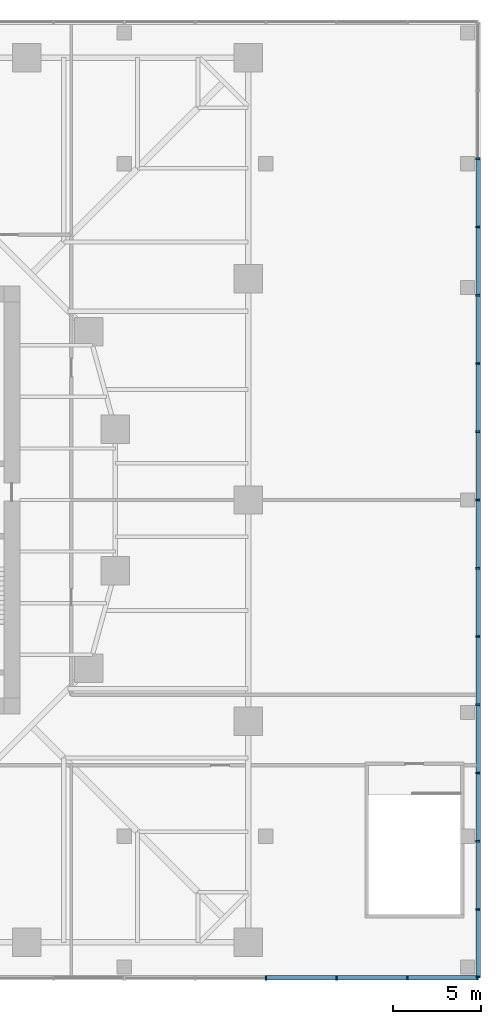
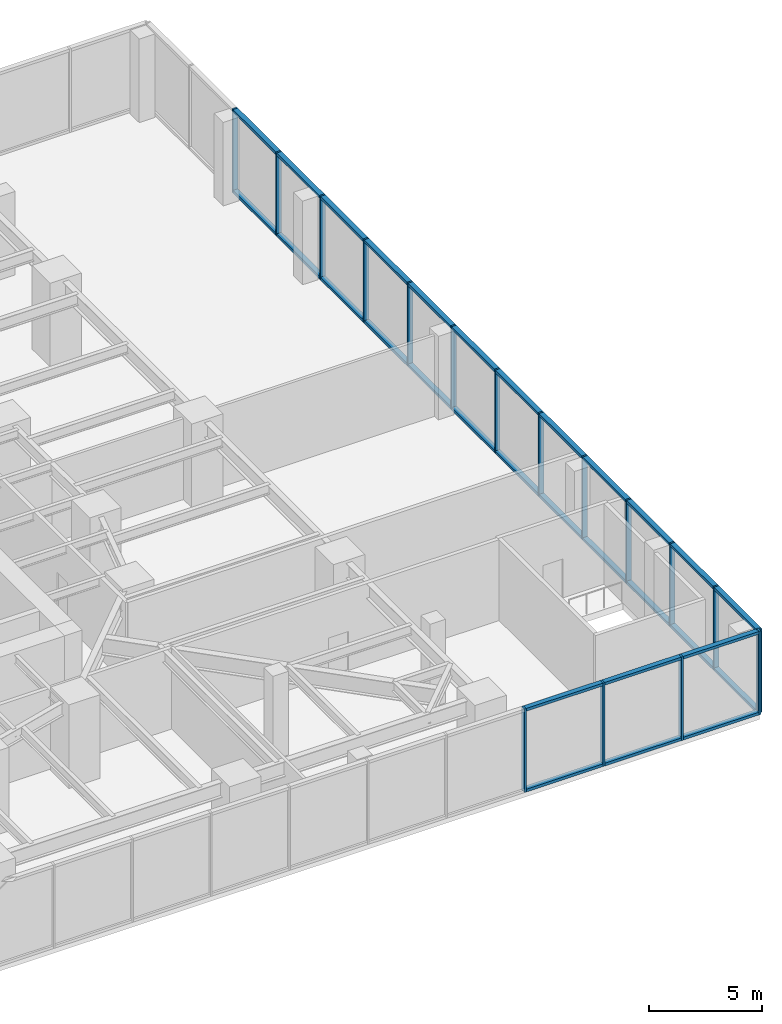
# One storey, part 7 of 14: 47 members, 2 elements without a shape of their own.
"""IFC4 building model written with IfcOpenShell, lengths in metres."""

from ifc_helpers import new_model, si_unit, direction, frame, origin, origin_2d, place, context, subcontext, project, spatial, rectangle, extrude, material, material_profile, profile_set, type_object, element, aggregate, save


model = new_model("IFC4")

# Units and contexts
model_context = context("Model", 3, precision=1e-05, world=origin(), true_north=direction((0.0, 1.0)))
body_context = subcontext(model_context, "Body", "Model", "MODEL_VIEW")
ifc_project = project(units=[si_unit("LENGTHUNIT", "METRE"), si_unit("AREAUNIT", "SQUARE_METRE"), si_unit("VOLUMEUNIT", "CUBIC_METRE"), si_unit("PLANEANGLEUNIT", "RADIAN"), si_unit("MASSUNIT", "GRAM", prefix="KILO")], contexts=[model_context])

# Site, building, storey
site_placement = place(None, origin())
site = spatial("IfcSite", under=ifc_project, at=site_placement, CompositionType="ELEMENT")
building_placement = place(site_placement, origin())
building = spatial("IfcBuilding", under=site, at=building_placement, Name="Torsade Residences", CompositionType="ELEMENT")
storey_placement = place(building_placement, frame((0.0, 0.0, 10.5)))
storey = spatial("IfcBuildingStorey", under=building, at=storey_placement, Name="L02", CompositionType="ELEMENT", Elevation=10.5)

# Curtain wall, members
ifc_material_1 = material(Name="Aluminium and glass", Category="aluminium")
curtain_wall_type = type_object("IfcCurtainWallType", Name="PODIUM CURTAIN WALL", PredefinedType="NOTDEFINED", material=ifc_material_1)
curtain_wall_1_placement = place(storey_placement, origin())
curtain_wall_1 = element("IfcCurtainWall", 1, at=curtain_wall_1_placement, inside=storey, type_object=curtain_wall_type, Name="Podium curtain wall L02 S", PredefinedType="NOTDEFINED")
ifc_material_2 = material(Name="Aluminium mullion", Category="aluminium")
ifc_material_profile_1 = material_profile(ifc_material_2, rectangle(XDim=0.25, YDim=0.090087890625, at=origin_2d()), Name="PODIUM CURTAIN WALL MULLION 250x90")
ifc_profile_set_1 = profile_set([ifc_material_profile_1], Name="Aluminium mullion")
member_type_1 = type_object("IfcMemberType", Name="PODIUM CURTAIN WALL MULLION 250x90", PredefinedType="MULLION", material=ifc_profile_set_1)
member_1_placement = place(storey_placement, frame((66.0, 3.0, 0.0), z_axis=(0.0, 0.0, 1.0), x_axis=(0.0, 1.0, 0.0)))
member_1 = element("IfcMember", 2, at=member_1_placement, type_object=member_type_1, Name="Mullion 17", PredefinedType="MULLION", context=body_context, shape_type="SweptSolid", body=[
    extrude(rectangle(XDim=0.25, YDim=0.090087890625, at=origin_2d()), origin(), (0.0, 0.0, 1.0), 4.5),
])
member_2_placement = place(storey_placement, frame((70.0, 3.0, 0.0), z_axis=(0.0, 0.0, 1.0), x_axis=(0.0, 1.0, 0.0)))
member_2 = element("IfcMember", 3, at=member_2_placement, type_object=member_type_1, Name="Mullion 18", PredefinedType="MULLION", context=body_context, shape_type="SweptSolid", body=[
    extrude(rectangle(XDim=0.25, YDim=0.090087890625, at=origin_2d()), origin(), (0.0, 0.0, 1.0), 4.5),
])
member_3_placement = place(storey_placement, frame((74.0, 3.0, 0.0), z_axis=(0.0, 0.0, 1.0), x_axis=(0.0, 1.0, 0.0)))
member_3 = element("IfcMember", 4, at=member_3_placement, type_object=member_type_1, Name="Mullion 19", PredefinedType="MULLION", context=body_context, shape_type="SweptSolid", body=[
    extrude(rectangle(XDim=0.25, YDim=0.090087890625, at=origin_2d()), origin(), (0.0, 0.0, 1.0), 4.5),
])
member_4_placement = place(storey_placement, frame((77.955078125, 3.0, 0.0), z_axis=(0.0, 0.0, 1.0), x_axis=(0.0, 1.0, 0.0)))
member_4 = element("IfcMember", 5, at=member_4_placement, type_object=member_type_1, Name="Mullion 20", PredefinedType="MULLION", context=body_context, shape_type="SweptSolid", body=[
    extrude(rectangle(XDim=0.25, YDim=0.090087890625, at=origin_2d()), origin(), (0.0, 0.0, 1.0), 4.5),
])

curtain_wall_2_placement = place(storey_placement, origin())
curtain_wall_2 = element("IfcCurtainWall", 6, at=curtain_wall_2_placement, inside=storey, type_object=curtain_wall_type, Name="Podium curtain wall L02 E", PredefinedType="NOTDEFINED")
member_5_placement = place(storey_placement, frame((78.0, 3.044921875, 0.0), z_axis=(0.0, 0.0, 1.0), x_axis=(-1.0, 0.0, 0.0)))
member_5 = element("IfcMember", 7, at=member_5_placement, type_object=member_type_1, Name="Mullion 1", PredefinedType="MULLION", context=body_context, shape_type="SweptSolid", body=[
    extrude(rectangle(XDim=0.25, YDim=0.090087890625, at=origin_2d()), origin(), (0.0, 0.0, 1.0), 4.5),
])
member_6_placement = place(storey_placement, frame((78.0, 6.857177734375, 0.0), z_axis=(0.0, 0.0, 1.0), x_axis=(-1.0, 0.0, 0.0)))
member_6 = element("IfcMember", 8, at=member_6_placement, type_object=member_type_1, Name="Mullion 2", PredefinedType="MULLION", context=body_context, shape_type="SweptSolid", body=[
    extrude(rectangle(XDim=0.25, YDim=0.090087890625, at=origin_2d()), origin(), (0.0, 0.0, 1.0), 4.5),
])
member_7_placement = place(storey_placement, frame((78.0, 10.71435546875, 0.0), z_axis=(0.0, 0.0, 1.0), x_axis=(-1.0, 0.0, 0.0)))
member_7 = element("IfcMember", 9, at=member_7_placement, type_object=member_type_1, Name="Mullion 3", PredefinedType="MULLION", context=body_context, shape_type="SweptSolid", body=[
    extrude(rectangle(XDim=0.25, YDim=0.090087890625, at=origin_2d()), origin(), (0.0, 0.0, 1.0), 4.5),
])
member_8_placement = place(storey_placement, frame((78.0, 14.571533203125, 0.0), z_axis=(0.0, 0.0, 1.0), x_axis=(-1.0, 0.0, 0.0)))
member_8 = element("IfcMember", 10, at=member_8_placement, type_object=member_type_1, Name="Mullion 4", PredefinedType="MULLION", context=body_context, shape_type="SweptSolid", body=[
    extrude(rectangle(XDim=0.25, YDim=0.090087890625, at=origin_2d()), origin(), (0.0, 0.0, 1.0), 4.5),
])
member_9_placement = place(storey_placement, frame((78.0, 18.428466796875, 0.0), z_axis=(0.0, 0.0, 1.0), x_axis=(-1.0, 0.0, 0.0)))
member_9 = element("IfcMember", 11, at=member_9_placement, type_object=member_type_1, Name="Mullion 5", PredefinedType="MULLION", context=body_context, shape_type="SweptSolid", body=[
    extrude(rectangle(XDim=0.25, YDim=0.090087890625, at=origin_2d()), origin(), (0.0, 0.0, 1.0), 4.5),
])
member_10_placement = place(storey_placement, frame((78.0, 22.28564453125, 0.0), z_axis=(0.0, 0.0, 1.0), x_axis=(-1.0, 0.0, 0.0)))
member_10 = element("IfcMember", 12, at=member_10_placement, type_object=member_type_1, Name="Mullion 6", PredefinedType="MULLION", context=body_context, shape_type="SweptSolid", body=[
    extrude(rectangle(XDim=0.25, YDim=0.090087890625, at=origin_2d()), origin(), (0.0, 0.0, 1.0), 4.5),
])
member_11_placement = place(storey_placement, frame((78.0, 26.142822265625, 0.0), z_axis=(0.0, 0.0, 1.0), x_axis=(-1.0, 0.0, 0.0)))
member_11 = element("IfcMember", 13, at=member_11_placement, type_object=member_type_1, Name="Mullion 7", PredefinedType="MULLION", context=body_context, shape_type="SweptSolid", body=[
    extrude(rectangle(XDim=0.25, YDim=0.090087890625, at=origin_2d()), origin(), (0.0, 0.0, 1.0), 4.5),
])
member_12_placement = place(storey_placement, frame((78.0, 30.0, 0.0), z_axis=(0.0, 0.0, 1.0), x_axis=(-1.0, 0.0, 0.0)))
member_12 = element("IfcMember", 14, at=member_12_placement, type_object=member_type_1, Name="Mullion 8", PredefinedType="MULLION", context=body_context, shape_type="SweptSolid", body=[
    extrude(rectangle(XDim=0.25, YDim=0.090087890625, at=origin_2d()), origin(), (0.0, 0.0, 1.0), 4.5),
])
member_13_placement = place(storey_placement, frame((78.0, 33.857177734375, 0.0), z_axis=(0.0, 0.0, 1.0), x_axis=(-1.0, 0.0, 0.0)))
member_13 = element("IfcMember", 15, at=member_13_placement, type_object=member_type_1, Name="Mullion 9", PredefinedType="MULLION", context=body_context, shape_type="SweptSolid", body=[
    extrude(rectangle(XDim=0.25, YDim=0.090087890625, at=origin_2d()), origin(), (0.0, 0.0, 1.0), 4.5),
])
member_14_placement = place(storey_placement, frame((78.0, 37.71435546875, 0.0), z_axis=(0.0, 0.0, 1.0), x_axis=(-1.0, 0.0, 0.0)))
member_14 = element("IfcMember", 16, at=member_14_placement, type_object=member_type_1, Name="Mullion 10", PredefinedType="MULLION", context=body_context, shape_type="SweptSolid", body=[
    extrude(rectangle(XDim=0.25, YDim=0.090087890625, at=origin_2d()), origin(), (0.0, 0.0, 1.0), 4.5),
])
member_15_placement = place(storey_placement, frame((78.0, 41.571533203125, 0.0), z_axis=(0.0, 0.0, 1.0), x_axis=(-1.0, 0.0, 0.0)))
member_15 = element("IfcMember", 17, at=member_15_placement, type_object=member_type_1, Name="Mullion 11", PredefinedType="MULLION", context=body_context, shape_type="SweptSolid", body=[
    extrude(rectangle(XDim=0.25, YDim=0.090087890625, at=origin_2d()), origin(), (0.0, 0.0, 1.0), 4.5),
])
member_16_placement = place(storey_placement, frame((78.0, 45.428466796875, 0.0), z_axis=(0.0, 0.0, 1.0), x_axis=(-1.0, 0.0, 0.0)))
member_16 = element("IfcMember", 18, at=member_16_placement, type_object=member_type_1, Name="Mullion 12", PredefinedType="MULLION", context=body_context, shape_type="SweptSolid", body=[
    extrude(rectangle(XDim=0.25, YDim=0.090087890625, at=origin_2d()), origin(), (0.0, 0.0, 1.0), 4.5),
])
member_17_placement = place(storey_placement, frame((78.0, 49.28564453125, 0.0), z_axis=(0.0, 0.0, 1.0), x_axis=(-1.0, 0.0, 0.0)))
member_17 = element("IfcMember", 19, at=member_17_placement, type_object=member_type_1, Name="Mullion 13", PredefinedType="MULLION", context=body_context, shape_type="SweptSolid", body=[
    extrude(rectangle(XDim=0.25, YDim=0.090087890625, at=origin_2d()), origin(), (0.0, 0.0, 1.0), 4.5),
])

# Member
ifc_material_3 = material(Name="Aluminium transom", Category="aluminium")
ifc_material_profile_2 = material_profile(ifc_material_3, rectangle(XDim=0.25, YDim=0.14990234375, at=origin_2d()), Name="PODIUM CURTAIN WALL TRANSOM 250x150")
ifc_profile_set_2 = profile_set([ifc_material_profile_2], Name="Aluminium transom")
member_type_2 = type_object("IfcMemberType", Name="PODIUM CURTAIN WALL TRANSOM 250x150", PredefinedType="USERDEFINED", material=ifc_profile_set_2)
member_18_placement = place(storey_placement, frame((66.044921875, 3.0, 0.074951171875), z_axis=(1.0, 0.0, 0.0), x_axis=(0.0, 1.0, 0.0)))
member_18 = element("IfcMember", 20, at=member_18_placement, type_object=member_type_2, Name="Transom 17.1", ObjectType="TRANSOM", PredefinedType="USERDEFINED", context=body_context, shape_type="SweptSolid", body=[
    extrude(rectangle(XDim=0.25, YDim=0.14990234375, at=origin_2d()), origin(), (0.0, 0.0, 1.0), 3.91015625),
])

member_19_placement = place(storey_placement, frame((66.044921875, 3.0, 4.425048828125), z_axis=(1.0, 0.0, 0.0), x_axis=(0.0, 1.0, 0.0)))
member_19 = element("IfcMember", 21, at=member_19_placement, type_object=member_type_2, Name="Transom 17.2", ObjectType="TRANSOM", PredefinedType="USERDEFINED", context=body_context, shape_type="SweptSolid", body=[
    extrude(rectangle(XDim=0.25, YDim=0.14990234375, at=origin_2d()), origin(), (0.0, 0.0, 1.0), 3.91015625),
])

member_20_placement = place(storey_placement, frame((70.044921875, 3.0, 0.074951171875), z_axis=(1.0, 0.0, 0.0), x_axis=(0.0, 1.0, 0.0)))
member_20 = element("IfcMember", 22, at=member_20_placement, type_object=member_type_2, Name="Transom 18.1", ObjectType="TRANSOM", PredefinedType="USERDEFINED", context=body_context, shape_type="SweptSolid", body=[
    extrude(rectangle(XDim=0.25, YDim=0.14990234375, at=origin_2d()), origin(), (0.0, 0.0, 1.0), 3.91015625),
])

member_21_placement = place(storey_placement, frame((70.044921875, 3.0, 4.425048828125), z_axis=(1.0, 0.0, 0.0), x_axis=(0.0, 1.0, 0.0)))
member_21 = element("IfcMember", 23, at=member_21_placement, type_object=member_type_2, Name="Transom 18.2", ObjectType="TRANSOM", PredefinedType="USERDEFINED", context=body_context, shape_type="SweptSolid", body=[
    extrude(rectangle(XDim=0.25, YDim=0.14990234375, at=origin_2d()), origin(), (0.0, 0.0, 1.0), 3.91015625),
])

member_22_placement = place(storey_placement, frame((74.044921875, 3.0, 0.074951171875), z_axis=(1.0, 0.0, 0.0), x_axis=(0.0, 1.0, 0.0)))
member_22 = element("IfcMember", 24, at=member_22_placement, type_object=member_type_2, Name="Transom 19.1", ObjectType="TRANSOM", PredefinedType="USERDEFINED", context=body_context, shape_type="SweptSolid", body=[
    extrude(rectangle(XDim=0.25, YDim=0.14990234375, at=origin_2d()), origin(), (0.0, 0.0, 1.0), 3.864990234375),
])

member_23_placement = place(storey_placement, frame((74.044921875, 3.0, 4.425048828125), z_axis=(1.0, 0.0, 0.0), x_axis=(0.0, 1.0, 0.0)))
member_23 = element("IfcMember", 25, at=member_23_placement, type_object=member_type_2, Name="Transom 19.2", ObjectType="TRANSOM", PredefinedType="USERDEFINED", context=body_context, shape_type="SweptSolid", body=[
    extrude(rectangle(XDim=0.25, YDim=0.14990234375, at=origin_2d()), origin(), (0.0, 0.0, 1.0), 3.864990234375),
])

aggregate(curtain_wall_1, [member_1, member_2, member_3, member_4, member_18, member_19, member_20, member_21, member_22, member_23])

member_24_placement = place(storey_placement, frame((78.0, 3.090087890625, 0.074951171875), z_axis=(0.0, 1.0, 0.0), x_axis=(-1.0, 0.0, 0.0)))
member_24 = element("IfcMember", 26, at=member_24_placement, type_object=member_type_2, Name="Transom 1.1", ObjectType="TRANSOM", PredefinedType="USERDEFINED", context=body_context, shape_type="SweptSolid", body=[
    extrude(rectangle(XDim=0.25, YDim=0.14990234375, at=origin_2d()), origin(), (0.0, 0.0, 1.0), 3.72216796875),
])

member_25_placement = place(storey_placement, frame((78.0, 3.090087890625, 4.425048828125), z_axis=(0.0, 1.0, 0.0), x_axis=(-1.0, 0.0, 0.0)))
member_25 = element("IfcMember", 27, at=member_25_placement, type_object=member_type_2, Name="Transom 1.2", ObjectType="TRANSOM", PredefinedType="USERDEFINED", context=body_context, shape_type="SweptSolid", body=[
    extrude(rectangle(XDim=0.25, YDim=0.14990234375, at=origin_2d()), origin(), (0.0, 0.0, 1.0), 3.72216796875),
])

member_26_placement = place(storey_placement, frame((78.0, 6.902099609375, 0.074951171875), z_axis=(0.0, 1.0, 0.0), x_axis=(-1.0, 0.0, 0.0)))
member_26 = element("IfcMember", 28, at=member_26_placement, type_object=member_type_2, Name="Transom 2.1", ObjectType="TRANSOM", PredefinedType="USERDEFINED", context=body_context, shape_type="SweptSolid", body=[
    extrude(rectangle(XDim=0.25, YDim=0.14990234375, at=origin_2d()), origin(), (0.0, 0.0, 1.0), 3.76708984375),
])

member_27_placement = place(storey_placement, frame((78.0, 6.902099609375, 4.425048828125), z_axis=(0.0, 1.0, 0.0), x_axis=(-1.0, 0.0, 0.0)))
member_27 = element("IfcMember", 29, at=member_27_placement, type_object=member_type_2, Name="Transom 2.2", ObjectType="TRANSOM", PredefinedType="USERDEFINED", context=body_context, shape_type="SweptSolid", body=[
    extrude(rectangle(XDim=0.25, YDim=0.14990234375, at=origin_2d()), origin(), (0.0, 0.0, 1.0), 3.76708984375),
])

member_28_placement = place(storey_placement, frame((78.0, 10.75927734375, 0.074951171875), z_axis=(0.0, 1.0, 0.0), x_axis=(-1.0, 0.0, 0.0)))
member_28 = element("IfcMember", 30, at=member_28_placement, type_object=member_type_2, Name="Transom 3.1", ObjectType="TRANSOM", PredefinedType="USERDEFINED", context=body_context, shape_type="SweptSolid", body=[
    extrude(rectangle(XDim=0.25, YDim=0.14990234375, at=origin_2d()), origin(), (0.0, 0.0, 1.0), 3.76708984375),
])

member_29_placement = place(storey_placement, frame((78.0, 10.75927734375, 4.425048828125), z_axis=(0.0, 1.0, 0.0), x_axis=(-1.0, 0.0, 0.0)))
member_29 = element("IfcMember", 31, at=member_29_placement, type_object=member_type_2, Name="Transom 3.2", ObjectType="TRANSOM", PredefinedType="USERDEFINED", context=body_context, shape_type="SweptSolid", body=[
    extrude(rectangle(XDim=0.25, YDim=0.14990234375, at=origin_2d()), origin(), (0.0, 0.0, 1.0), 3.76708984375),
])

member_30_placement = place(storey_placement, frame((78.0, 14.616455078125, 0.074951171875), z_axis=(0.0, 1.0, 0.0), x_axis=(-1.0, 0.0, 0.0)))
member_30 = element("IfcMember", 32, at=member_30_placement, type_object=member_type_2, Name="Transom 4.1", ObjectType="TRANSOM", PredefinedType="USERDEFINED", context=body_context, shape_type="SweptSolid", body=[
    extrude(rectangle(XDim=0.25, YDim=0.14990234375, at=origin_2d()), origin(), (0.0, 0.0, 1.0), 3.76708984375),
])

member_31_placement = place(storey_placement, frame((78.0, 14.616455078125, 4.425048828125), z_axis=(0.0, 1.0, 0.0), x_axis=(-1.0, 0.0, 0.0)))
member_31 = element("IfcMember", 33, at=member_31_placement, type_object=member_type_2, Name="Transom 4.2", ObjectType="TRANSOM", PredefinedType="USERDEFINED", context=body_context, shape_type="SweptSolid", body=[
    extrude(rectangle(XDim=0.25, YDim=0.14990234375, at=origin_2d()), origin(), (0.0, 0.0, 1.0), 3.76708984375),
])

member_32_placement = place(storey_placement, frame((78.0, 18.4736328125, 0.074951171875), z_axis=(0.0, 1.0, 0.0), x_axis=(-1.0, 0.0, 0.0)))
member_32 = element("IfcMember", 34, at=member_32_placement, type_object=member_type_2, Name="Transom 5.1", ObjectType="TRANSOM", PredefinedType="USERDEFINED", context=body_context, shape_type="SweptSolid", body=[
    extrude(rectangle(XDim=0.25, YDim=0.14990234375, at=origin_2d()), origin(), (0.0, 0.0, 1.0), 3.76708984375),
])

member_33_placement = place(storey_placement, frame((78.0, 18.4736328125, 4.425048828125), z_axis=(0.0, 1.0, 0.0), x_axis=(-1.0, 0.0, 0.0)))
member_33 = element("IfcMember", 35, at=member_33_placement, type_object=member_type_2, Name="Transom 5.2", ObjectType="TRANSOM", PredefinedType="USERDEFINED", context=body_context, shape_type="SweptSolid", body=[
    extrude(rectangle(XDim=0.25, YDim=0.14990234375, at=origin_2d()), origin(), (0.0, 0.0, 1.0), 3.76708984375),
])

member_34_placement = place(storey_placement, frame((78.0, 22.330810546875, 0.074951171875), z_axis=(0.0, 1.0, 0.0), x_axis=(-1.0, 0.0, 0.0)))
member_34 = element("IfcMember", 36, at=member_34_placement, type_object=member_type_2, Name="Transom 6.1", ObjectType="TRANSOM", PredefinedType="USERDEFINED", context=body_context, shape_type="SweptSolid", body=[
    extrude(rectangle(XDim=0.25, YDim=0.14990234375, at=origin_2d()), origin(), (0.0, 0.0, 1.0), 3.76708984375),
])

member_35_placement = place(storey_placement, frame((78.0, 22.330810546875, 4.425048828125), z_axis=(0.0, 1.0, 0.0), x_axis=(-1.0, 0.0, 0.0)))
member_35 = element("IfcMember", 37, at=member_35_placement, type_object=member_type_2, Name="Transom 6.2", ObjectType="TRANSOM", PredefinedType="USERDEFINED", context=body_context, shape_type="SweptSolid", body=[
    extrude(rectangle(XDim=0.25, YDim=0.14990234375, at=origin_2d()), origin(), (0.0, 0.0, 1.0), 3.76708984375),
])

member_36_placement = place(storey_placement, frame((78.0, 26.187744140625, 0.074951171875), z_axis=(0.0, 1.0, 0.0), x_axis=(-1.0, 0.0, 0.0)))
member_36 = element("IfcMember", 38, at=member_36_placement, type_object=member_type_2, Name="Transom 7.1", ObjectType="TRANSOM", PredefinedType="USERDEFINED", context=body_context, shape_type="SweptSolid", body=[
    extrude(rectangle(XDim=0.25, YDim=0.14990234375, at=origin_2d()), origin(), (0.0, 0.0, 1.0), 3.767333984375),
])

member_37_placement = place(storey_placement, frame((78.0, 26.187744140625, 4.425048828125), z_axis=(0.0, 1.0, 0.0), x_axis=(-1.0, 0.0, 0.0)))
member_37 = element("IfcMember", 39, at=member_37_placement, type_object=member_type_2, Name="Transom 7.2", ObjectType="TRANSOM", PredefinedType="USERDEFINED", context=body_context, shape_type="SweptSolid", body=[
    extrude(rectangle(XDim=0.25, YDim=0.14990234375, at=origin_2d()), origin(), (0.0, 0.0, 1.0), 3.767333984375),
])

member_38_placement = place(storey_placement, frame((78.0, 30.044921875, 0.074951171875), z_axis=(0.0, 1.0, 0.0), x_axis=(-1.0, 0.0, 0.0)))
member_38 = element("IfcMember", 40, at=member_38_placement, type_object=member_type_2, Name="Transom 8.1", ObjectType="TRANSOM", PredefinedType="USERDEFINED", context=body_context, shape_type="SweptSolid", body=[
    extrude(rectangle(XDim=0.25, YDim=0.14990234375, at=origin_2d()), origin(), (0.0, 0.0, 1.0), 3.767333984375),
])

member_39_placement = place(storey_placement, frame((78.0, 30.044921875, 4.425048828125), z_axis=(0.0, 1.0, 0.0), x_axis=(-1.0, 0.0, 0.0)))
member_39 = element("IfcMember", 41, at=member_39_placement, type_object=member_type_2, Name="Transom 8.2", ObjectType="TRANSOM", PredefinedType="USERDEFINED", context=body_context, shape_type="SweptSolid", body=[
    extrude(rectangle(XDim=0.25, YDim=0.14990234375, at=origin_2d()), origin(), (0.0, 0.0, 1.0), 3.767333984375),
])

member_40_placement = place(storey_placement, frame((78.0, 33.902099609375, 0.074951171875), z_axis=(0.0, 1.0, 0.0), x_axis=(-1.0, 0.0, 0.0)))
member_40 = element("IfcMember", 42, at=member_40_placement, type_object=member_type_2, Name="Transom 9.1", ObjectType="TRANSOM", PredefinedType="USERDEFINED", context=body_context, shape_type="SweptSolid", body=[
    extrude(rectangle(XDim=0.25, YDim=0.14990234375, at=origin_2d()), origin(), (0.0, 0.0, 1.0), 3.76708984375),
])

member_41_placement = place(storey_placement, frame((78.0, 33.902099609375, 4.425048828125), z_axis=(0.0, 1.0, 0.0), x_axis=(-1.0, 0.0, 0.0)))
member_41 = element("IfcMember", 43, at=member_41_placement, type_object=member_type_2, Name="Transom 9.2", ObjectType="TRANSOM", PredefinedType="USERDEFINED", context=body_context, shape_type="SweptSolid", body=[
    extrude(rectangle(XDim=0.25, YDim=0.14990234375, at=origin_2d()), origin(), (0.0, 0.0, 1.0), 3.76708984375),
])

member_42_placement = place(storey_placement, frame((78.0, 37.75927734375, 0.074951171875), z_axis=(0.0, 1.0, 0.0), x_axis=(-1.0, 0.0, 0.0)))
member_42 = element("IfcMember", 44, at=member_42_placement, type_object=member_type_2, Name="Transom 10.1", ObjectType="TRANSOM", PredefinedType="USERDEFINED", context=body_context, shape_type="SweptSolid", body=[
    extrude(rectangle(XDim=0.25, YDim=0.14990234375, at=origin_2d()), origin(), (0.0, 0.0, 1.0), 3.76708984375),
])

member_43_placement = place(storey_placement, frame((78.0, 37.75927734375, 4.425048828125), z_axis=(0.0, 1.0, 0.0), x_axis=(-1.0, 0.0, 0.0)))
member_43 = element("IfcMember", 45, at=member_43_placement, type_object=member_type_2, Name="Transom 10.2", ObjectType="TRANSOM", PredefinedType="USERDEFINED", context=body_context, shape_type="SweptSolid", body=[
    extrude(rectangle(XDim=0.25, YDim=0.14990234375, at=origin_2d()), origin(), (0.0, 0.0, 1.0), 3.76708984375),
])

member_44_placement = place(storey_placement, frame((78.0, 41.616455078125, 0.074951171875), z_axis=(0.0, 1.0, 0.0), x_axis=(-1.0, 0.0, 0.0)))
member_44 = element("IfcMember", 46, at=member_44_placement, type_object=member_type_2, Name="Transom 11.1", ObjectType="TRANSOM", PredefinedType="USERDEFINED", context=body_context, shape_type="SweptSolid", body=[
    extrude(rectangle(XDim=0.25, YDim=0.14990234375, at=origin_2d()), origin(), (0.0, 0.0, 1.0), 3.76708984375),
])

member_45_placement = place(storey_placement, frame((78.0, 41.616455078125, 4.425048828125), z_axis=(0.0, 1.0, 0.0), x_axis=(-1.0, 0.0, 0.0)))
member_45 = element("IfcMember", 47, at=member_45_placement, type_object=member_type_2, Name="Transom 11.2", ObjectType="TRANSOM", PredefinedType="USERDEFINED", context=body_context, shape_type="SweptSolid", body=[
    extrude(rectangle(XDim=0.25, YDim=0.14990234375, at=origin_2d()), origin(), (0.0, 0.0, 1.0), 3.76708984375),
])

member_46_placement = place(storey_placement, frame((78.0, 45.4736328125, 0.074951171875), z_axis=(0.0, 1.0, 0.0), x_axis=(-1.0, 0.0, 0.0)))
member_46 = element("IfcMember", 48, at=member_46_placement, type_object=member_type_2, Name="Transom 12.1", ObjectType="TRANSOM", PredefinedType="USERDEFINED", context=body_context, shape_type="SweptSolid", body=[
    extrude(rectangle(XDim=0.25, YDim=0.14990234375, at=origin_2d()), origin(), (0.0, 0.0, 1.0), 3.76708984375),
])

member_47_placement = place(storey_placement, frame((78.0, 45.4736328125, 4.425048828125), z_axis=(0.0, 1.0, 0.0), x_axis=(-1.0, 0.0, 0.0)))
member_47 = element("IfcMember", 49, at=member_47_placement, type_object=member_type_2, Name="Transom 12.2", ObjectType="TRANSOM", PredefinedType="USERDEFINED", context=body_context, shape_type="SweptSolid", body=[
    extrude(rectangle(XDim=0.25, YDim=0.14990234375, at=origin_2d()), origin(), (0.0, 0.0, 1.0), 3.76708984375),
])

aggregate(curtain_wall_2, [member_5, member_6, member_7, member_8, member_9, member_10, member_11, member_12, member_13, member_14, member_15, member_16, member_17, member_24, member_25, member_26, member_27, member_28, member_29, member_30, member_31, member_32, member_33, member_34, member_35, member_36, member_37, member_38, member_39, member_40, member_41, member_42, member_43, member_44, member_45, member_46, member_47])

save(model, "model.ifc")
